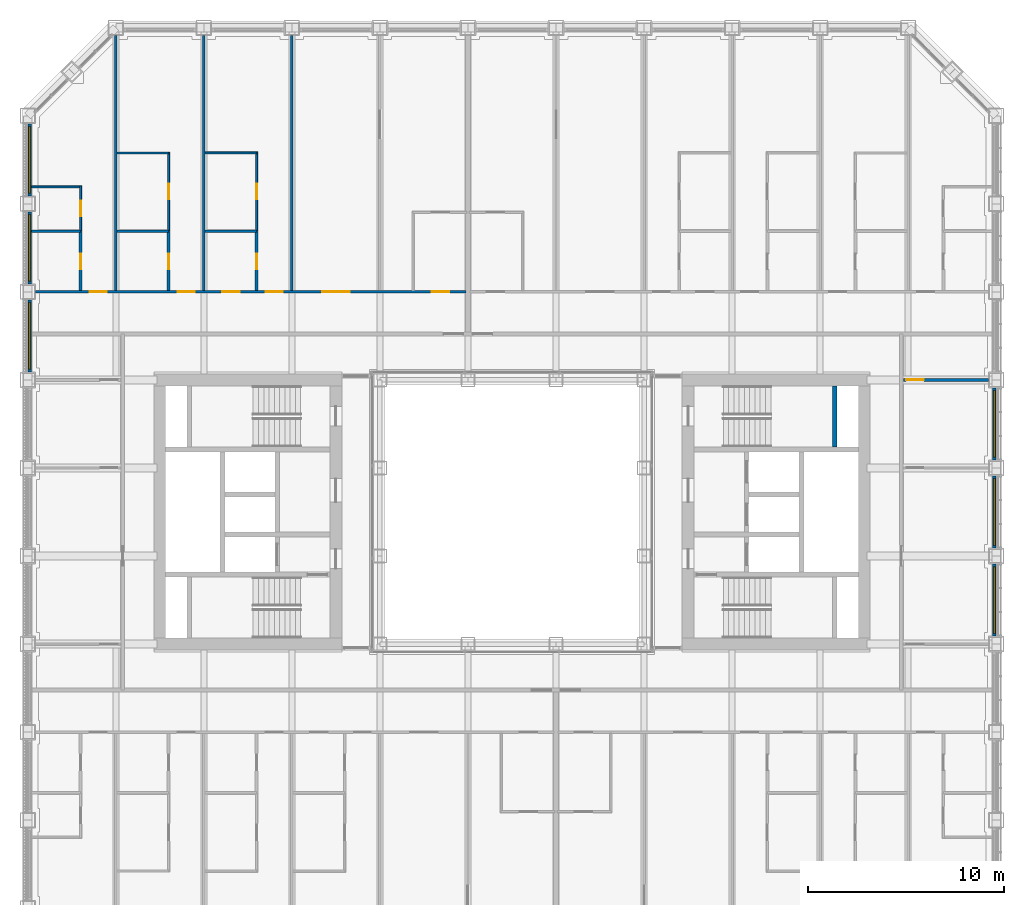
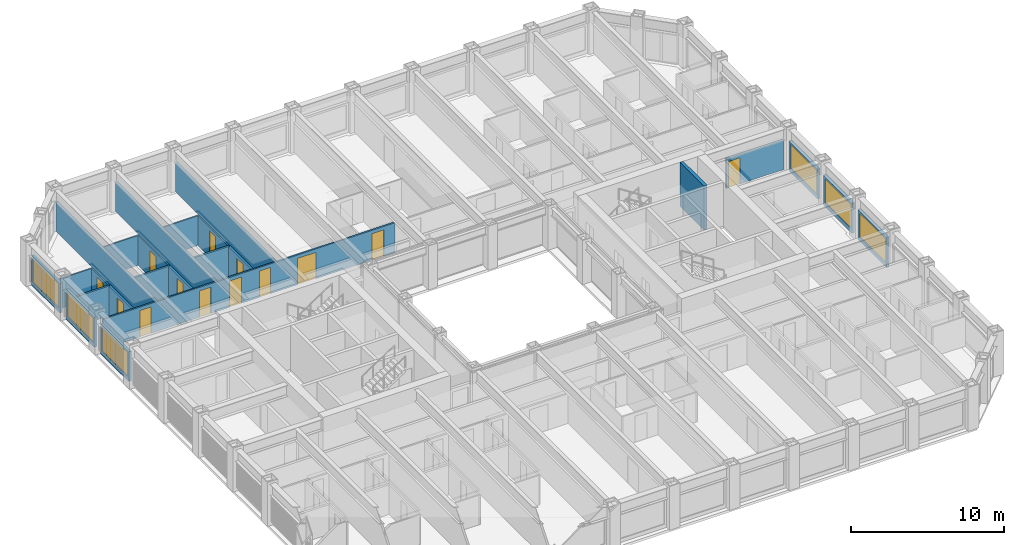
# One storey, part 13 of 21: 24 walls, 13 doors, 6 windows, 19 openings.
"""IFC4 building model written with IfcOpenShell, lengths in metres."""

from ifc_helpers import new_model, si_unit, direction, frame, frame_2d, origin, place, context, subcontext, project, spatial, rectangle, extrude, material, layer, layer_set, type_object, element, fill, save


model = new_model("IFC4")

# Units and contexts
model_context = context("Model", 3, precision=1e-05, world=origin(), true_north=direction((0.0, 1.0)))
body_context = subcontext(model_context, "Body", "Model", "MODEL_VIEW")
ifc_project = project(units=[si_unit("LENGTHUNIT", "METRE"), si_unit("AREAUNIT", "SQUARE_METRE"), si_unit("VOLUMEUNIT", "CUBIC_METRE"), si_unit("PLANEANGLEUNIT", "RADIAN"), si_unit("MASSUNIT", "GRAM", prefix="KILO")], contexts=[model_context])

# Site, building, storey
site_placement = place(None, origin())
site = spatial("IfcSite", under=ifc_project, at=site_placement, CompositionType="ELEMENT")
building_placement = place(site_placement, origin())
building = spatial("IfcBuilding", under=site, at=building_placement, Name="Msasa Ring Tower", CompositionType="ELEMENT")
storey_placement = place(building_placement, frame((0.0, 0.0, 82.5)))
storey = spatial("IfcBuildingStorey", under=building, at=storey_placement, Name="L21", CompositionType="ELEMENT", Elevation=82.5)

# Wall
ifc_material_1 = material(Name="Concrete C60/75", Category="concrete")
ifc_layer_1 = layer(ifc_material_1, 0.25)
ifc_layer_set_1 = layer_set([ifc_layer_1], Name="CW4 CORE INNER WALL 250")
wall_type_1 = type_object("IfcWallType", Name="CW4 CORE INNER WALL 250", PredefinedType="SHEAR", material=ifc_layer_set_1)
wall_1_placement = place(storey_placement, frame((16.5, 3.324951171875, 0.0), z_axis=(0.0, 0.0, 1.0), x_axis=(0.0, 1.0, 0.0)))
element("IfcWall", 1, at=wall_1_placement, inside=storey, type_object=wall_type_1, Name="E core wall RISERB L21", PredefinedType="SHEAR", context=body_context, shape_type="SweptSolid", body=[
    extrude(rectangle(XDim=3.125, YDim=0.25, at=frame_2d((1.5625, 0.0))), origin(), (0.0, 0.0, 1.0), 3.5),
])

# Wall, opening, window
ifc_material_2 = material(Name="Terracotta rainscreen on blockwork", Category="masonry")
ifc_layer_2 = layer(ifc_material_2, 0.199951171875)
ifc_layer_set_2 = layer_set([ifc_layer_2], Name="FW1 TERRACOTTA-LINED INFILL BAY WALL 200")
wall_type_2 = type_object("IfcWallType", Name="FW1 TERRACOTTA-LINED INFILL BAY WALL 200", PredefinedType="SOLIDWALL", material=ifc_layer_set_2)
wall_2_placement = place(storey_placement, frame((24.64990234375, -6.344970703125, 0.0), z_axis=(0.0, 0.0, 1.0), x_axis=(0.0, 1.0, 0.0)))
wall_2 = element("IfcWall", 2, at=wall_2_placement, inside=storey, type_object=wall_type_2, Name="Infill bay wall E L21 14", PredefinedType="SOLIDWALL", context=body_context, shape_type="SweptSolid", body=[
    extrude(rectangle(XDim=3.68994140625, YDim=0.199951171875, at=frame_2d((1.844970703125, 0.0))), origin(), (0.0, 0.0, 1.0), 2.37890625),
])
opening_1_placement = place(wall_2_placement, frame((0.14501953125, 0.0, 0.300048828125)))
opening_1 = element("IfcOpeningElement", 3, at=opening_1_placement, cuts=wall_2, Name="Opening WN1", PredefinedType="OPENING", context=body_context, shape_type="SweptSolid", body=[
    extrude(rectangle(XDim=3.39990234375, YDim=1.928955078125, at=frame_2d((1.699951171875, 0.96435546875))), frame((0.0, 0.10986328125, 0.0), z_axis=(0.0, -1.0, 0.0), x_axis=(1.0, 0.0, 0.0)), (0.0, 0.0, 1.0), 0.219970703125),
])
ifc_material_3 = material(Name="Aluminium frame with clear glass", Category="aluminium")
window_type = type_object("IfcWindowType", Name="WN1 RESIDENCE WINDOW 3400x1929", PartitioningType="SINGLE_PANEL", PredefinedType="WINDOW", material=ifc_material_3)
window_1_placement = place(opening_1_placement, origin())
window_1 = element("IfcWindow", 4, at=window_1_placement, inside=storey, type_object=window_type, Name="Window E L21 14", OverallHeight=1.928955078125, OverallWidth=3.39990234375, PartitioningType="SINGLE_PANEL", PredefinedType="WINDOW", context=body_context, shape_type="SweptSolid", body=[
    extrude(rectangle(XDim=3.39990234375, YDim=1.928955078125, at=frame_2d((1.699951171875, 0.96435546875))), frame((0.0, 0.030029296875, 0.0), z_axis=(0.0, -1.0, 0.0), x_axis=(1.0, 0.0, 0.0)), (0.0, 0.0, 1.0), 0.06005859375),
])
fill(opening_1, window_1)

wall_3_placement = place(storey_placement, frame((24.64990234375, -1.844970703125, 0.0), z_axis=(0.0, 0.0, 1.0), x_axis=(0.0, 1.0, 0.0)))
wall_3 = element("IfcWall", 5, at=wall_3_placement, inside=storey, type_object=wall_type_2, Name="Infill bay wall E L21 15", PredefinedType="SOLIDWALL", context=body_context, shape_type="SweptSolid", body=[
    extrude(rectangle(XDim=3.68994140625, YDim=0.199951171875, at=frame_2d((1.844970703125, 0.0))), origin(), (0.0, 0.0, 1.0), 2.37890625),
])
opening_2_placement = place(wall_3_placement, frame((0.14501953125, 0.0, 0.300048828125)))
opening_2 = element("IfcOpeningElement", 6, at=opening_2_placement, cuts=wall_3, Name="Opening WN1", PredefinedType="OPENING", context=body_context, shape_type="SweptSolid", body=[
    extrude(rectangle(XDim=3.39990234375, YDim=1.928955078125, at=frame_2d((1.699951171875, 0.96435546875))), frame((0.0, 0.10986328125, 0.0), z_axis=(0.0, -1.0, 0.0), x_axis=(1.0, 0.0, 0.0)), (0.0, 0.0, 1.0), 0.219970703125),
])
window_2_placement = place(opening_2_placement, origin())
window_2 = element("IfcWindow", 7, at=window_2_placement, inside=storey, type_object=window_type, Name="Window E L21 15", OverallHeight=1.928955078125, OverallWidth=3.39990234375, PartitioningType="SINGLE_PANEL", PredefinedType="WINDOW", context=body_context, shape_type="SweptSolid", body=[
    extrude(rectangle(XDim=3.39990234375, YDim=1.928955078125, at=frame_2d((1.699951171875, 0.96435546875))), frame((0.0, 0.030029296875, 0.0), z_axis=(0.0, -1.0, 0.0), x_axis=(1.0, 0.0, 0.0)), (0.0, 0.0, 1.0), 0.06005859375),
])
fill(opening_2, window_2)

wall_4_placement = place(storey_placement, frame((24.64990234375, 2.655029296875, 0.0), z_axis=(0.0, 0.0, 1.0), x_axis=(0.0, 1.0, 0.0)))
wall_4 = element("IfcWall", 8, at=wall_4_placement, inside=storey, type_object=wall_type_2, Name="Infill bay wall E L21 16", PredefinedType="SOLIDWALL", context=body_context, shape_type="SweptSolid", body=[
    extrude(rectangle(XDim=3.68994140625, YDim=0.199951171875, at=frame_2d((1.844970703125, 0.0))), origin(), (0.0, 0.0, 1.0), 2.37890625),
])
opening_3_placement = place(wall_4_placement, frame((0.14501953125, 0.0, 0.300048828125)))
opening_3 = element("IfcOpeningElement", 9, at=opening_3_placement, cuts=wall_4, Name="Opening WN1", PredefinedType="OPENING", context=body_context, shape_type="SweptSolid", body=[
    extrude(rectangle(XDim=3.39990234375, YDim=1.928955078125, at=frame_2d((1.699951171875, 0.96435546875))), frame((0.0, 0.10986328125, 0.0), z_axis=(0.0, -1.0, 0.0), x_axis=(1.0, 0.0, 0.0)), (0.0, 0.0, 1.0), 0.219970703125),
])
window_3_placement = place(opening_3_placement, origin())
window_3 = element("IfcWindow", 10, at=window_3_placement, inside=storey, type_object=window_type, Name="Window E L21 16", OverallHeight=1.928955078125, OverallWidth=3.39990234375, PartitioningType="SINGLE_PANEL", PredefinedType="WINDOW", context=body_context, shape_type="SweptSolid", body=[
    extrude(rectangle(XDim=3.39990234375, YDim=1.928955078125, at=frame_2d((1.699951171875, 0.96435546875))), frame((0.0, 0.030029296875, 0.0), z_axis=(0.0, -1.0, 0.0), x_axis=(1.0, 0.0, 0.0)), (0.0, 0.0, 1.0), 0.06005859375),
])
fill(opening_3, window_3)

wall_5_placement = place(storey_placement, frame((-24.64990234375, 7.155029296875, 0.0), z_axis=(0.0, 0.0, 1.0), x_axis=(0.0, 1.0, 0.0)))
wall_5 = element("IfcWall", 11, at=wall_5_placement, inside=storey, type_object=wall_type_2, Name="Infill bay wall W L21 39", PredefinedType="SOLIDWALL", context=body_context, shape_type="SweptSolid", body=[
    extrude(rectangle(XDim=3.68994140625, YDim=0.199951171875, at=frame_2d((1.844970703125, 0.0))), origin(), (0.0, 0.0, 1.0), 2.37890625),
])
opening_4_placement = place(wall_5_placement, frame((0.14501953125, 0.0, 0.300048828125)))
opening_4 = element("IfcOpeningElement", 12, at=opening_4_placement, cuts=wall_5, Name="Opening WN1", PredefinedType="OPENING", context=body_context, shape_type="SweptSolid", body=[
    extrude(rectangle(XDim=3.39990234375, YDim=1.928955078125, at=frame_2d((1.699951171875, 0.96435546875))), frame((0.0, 0.10986328125, 0.0), z_axis=(0.0, -1.0, 0.0), x_axis=(1.0, 0.0, 0.0)), (0.0, 0.0, 1.0), 0.219970703125),
])
window_4_placement = place(opening_4_placement, origin())
window_4 = element("IfcWindow", 13, at=window_4_placement, inside=storey, type_object=window_type, Name="Window W L21 39", OverallHeight=1.928955078125, OverallWidth=3.39990234375, PartitioningType="SINGLE_PANEL", PredefinedType="WINDOW", context=body_context, shape_type="SweptSolid", body=[
    extrude(rectangle(XDim=3.39990234375, YDim=1.928955078125, at=frame_2d((1.699951171875, 0.96435546875))), frame((0.0, 0.030029296875, 0.0), z_axis=(0.0, -1.0, 0.0), x_axis=(1.0, 0.0, 0.0)), (0.0, 0.0, 1.0), 0.06005859375),
])
fill(opening_4, window_4)

wall_6_placement = place(storey_placement, frame((-24.64990234375, 11.655029296875, 0.0), z_axis=(0.0, 0.0, 1.0), x_axis=(0.0, 1.0, 0.0)))
wall_6 = element("IfcWall", 14, at=wall_6_placement, inside=storey, type_object=wall_type_2, Name="Infill bay wall W L21 40", PredefinedType="SOLIDWALL", context=body_context, shape_type="SweptSolid", body=[
    extrude(rectangle(XDim=3.68994140625, YDim=0.199951171875, at=frame_2d((1.844970703125, 0.0))), origin(), (0.0, 0.0, 1.0), 2.37890625),
])
opening_5_placement = place(wall_6_placement, frame((0.14501953125, 0.0, 0.300048828125)))
opening_5 = element("IfcOpeningElement", 15, at=opening_5_placement, cuts=wall_6, Name="Opening WN1", PredefinedType="OPENING", context=body_context, shape_type="SweptSolid", body=[
    extrude(rectangle(XDim=3.39990234375, YDim=1.928955078125, at=frame_2d((1.699951171875, 0.96435546875))), frame((0.0, 0.10986328125, 0.0), z_axis=(0.0, -1.0, 0.0), x_axis=(1.0, 0.0, 0.0)), (0.0, 0.0, 1.0), 0.219970703125),
])
window_5_placement = place(opening_5_placement, origin())
window_5 = element("IfcWindow", 16, at=window_5_placement, inside=storey, type_object=window_type, Name="Window W L21 40", OverallHeight=1.928955078125, OverallWidth=3.39990234375, PartitioningType="SINGLE_PANEL", PredefinedType="WINDOW", context=body_context, shape_type="SweptSolid", body=[
    extrude(rectangle(XDim=3.39990234375, YDim=1.928955078125, at=frame_2d((1.699951171875, 0.96435546875))), frame((0.0, 0.030029296875, 0.0), z_axis=(0.0, -1.0, 0.0), x_axis=(1.0, 0.0, 0.0)), (0.0, 0.0, 1.0), 0.06005859375),
])
fill(opening_5, window_5)

wall_7_placement = place(storey_placement, frame((-24.64990234375, 16.155029296875, 0.0), z_axis=(0.0, 0.0, 1.0), x_axis=(0.0, 1.0, 0.0)))
wall_7 = element("IfcWall", 17, at=wall_7_placement, inside=storey, type_object=wall_type_2, Name="Infill bay wall W L21 41", PredefinedType="SOLIDWALL", context=body_context, shape_type="SweptSolid", body=[
    extrude(rectangle(XDim=3.68994140625, YDim=0.199951171875, at=frame_2d((1.844970703125, 0.0))), origin(), (0.0, 0.0, 1.0), 2.37890625),
])
opening_6_placement = place(wall_7_placement, frame((0.14501953125, 0.0, 0.300048828125)))
opening_6 = element("IfcOpeningElement", 18, at=opening_6_placement, cuts=wall_7, Name="Opening WN1", PredefinedType="OPENING", context=body_context, shape_type="SweptSolid", body=[
    extrude(rectangle(XDim=3.39990234375, YDim=1.928955078125, at=frame_2d((1.699951171875, 0.96435546875))), frame((0.0, 0.10986328125, 0.0), z_axis=(0.0, -1.0, 0.0), x_axis=(1.0, 0.0, 0.0)), (0.0, 0.0, 1.0), 0.219970703125),
])
window_6_placement = place(opening_6_placement, origin())
window_6 = element("IfcWindow", 19, at=window_6_placement, inside=storey, type_object=window_type, Name="Window W L21 41", OverallHeight=1.928955078125, OverallWidth=3.39990234375, PartitioningType="SINGLE_PANEL", PredefinedType="WINDOW", context=body_context, shape_type="SweptSolid", body=[
    extrude(rectangle(XDim=3.39990234375, YDim=1.928955078125, at=frame_2d((1.699951171875, 0.96435546875))), frame((0.0, 0.030029296875, 0.0), z_axis=(0.0, -1.0, 0.0), x_axis=(1.0, 0.0, 0.0)), (0.0, 0.0, 1.0), 0.06005859375),
])
fill(opening_6, window_6)

# Wall, opening, door
ifc_material_4 = material(Name="Gypsum board on steel studs", Category="steel")
ifc_layer_3 = layer(ifc_material_4, 0.10009765625)
ifc_layer_set_3 = layer_set([ifc_layer_3], Name="PT2 STUD PARTITION 100")
wall_type_3 = type_object("IfcWallType", Name="PT2 STUD PARTITION 100", PredefinedType="PARTITIONING", material=ifc_layer_set_3)
wall_8_placement = place(storey_placement, frame((-13.050048828125, 14.39990234375, 0.0), z_axis=(0.0, 0.0, 1.0), x_axis=(0.0, 1.0, 0.0)))
wall_8 = element("IfcWall", 20, at=wall_8_placement, inside=storey, type_object=wall_type_3, Name="Partition L21-VNWWX1", PredefinedType="PARTITIONING", context=body_context, shape_type="SweptSolid", body=[
    extrude(rectangle(XDim=4.003173828125, YDim=0.10009765625, at=frame_2d((2.00146484375, 0.0))), origin(), (0.0, 0.0, 1.0), 2.373291015625),
])
opening_7_placement = place(wall_8_placement, frame((1.576416015625, 0.0, 0.0)))
opening_7 = element("IfcOpeningElement", 21, at=opening_7_placement, cuts=wall_8, Name="Opening RF-004", PredefinedType="OPENING", context=body_context, shape_type="SweptSolid", body=[
    extrude(rectangle(XDim=0.800048828125, YDim=2.10009765625, at=frame_2d((0.39990234375, 1.050048828125))), frame((0.0, 0.06005859375, 0.0), z_axis=(0.0, -1.0, 0.0), x_axis=(1.0, 0.0, 0.0)), (0.0, 0.0, 1.0), 0.1201171875),
])
ifc_material_5 = material(Name="Timber door leaf in a steel frame", Category="steel")
door_type_1 = type_object("IfcDoorType", Name="D60 DRESSING ROOM DOOR 800x2100", OperationType="SINGLE_SWING_LEFT", PredefinedType="DOOR", material=ifc_material_5)
door_1_placement = place(opening_7_placement, origin())
door_1 = element("IfcDoor", 22, at=door_1_placement, inside=storey, type_object=door_type_1, Name="Door L21-VNWW1", OperationType="SINGLE_SWING_LEFT", OverallHeight=2.10009765625, OverallWidth=0.800048828125, PredefinedType="DOOR", context=body_context, shape_type="SweptSolid", body=[
    extrude(rectangle(XDim=0.800048828125, YDim=2.10009765625, at=frame_2d((0.39990234375, 1.050048828125))), frame((0.0, 0.02490234375, 0.0), z_axis=(0.0, -1.0, 0.0), x_axis=(1.0, 0.0, 0.0)), (0.0, 0.0, 1.0), 0.050048828125),
])
fill(opening_7, door_1)

# Wall
wall_9_placement = place(storey_placement, frame((-15.68994140625, 18.35302734375, 0.0), z_axis=(0.0, 0.0, 1.0), x_axis=(1.0, 0.0, 0.0)))
element("IfcWall", 23, at=wall_9_placement, inside=storey, type_object=wall_type_3, Name="Partition L21-VNWWY1", PredefinedType="PARTITIONING", context=body_context, shape_type="SweptSolid", body=[
    extrude(rectangle(XDim=2.639892578125, YDim=0.10009765625, at=frame_2d((1.31982421875, 0.0))), origin(), (0.0, 0.0, 1.0), 2.373291015625),
])

# Wall, opening, door
wall_10_placement = place(storey_placement, frame((-17.550048828125, 14.39990234375, 0.0), z_axis=(0.0, 0.0, 1.0), x_axis=(0.0, 1.0, 0.0)))
wall_10 = element("IfcWall", 24, at=wall_10_placement, inside=storey, type_object=wall_type_3, Name="Partition L21-VNWWX2", PredefinedType="PARTITIONING", context=body_context, shape_type="SweptSolid", body=[
    extrude(rectangle(XDim=4.00048828125, YDim=0.10009765625, at=frame_2d((2.000244140625, 0.0))), origin(), (0.0, 0.0, 1.0), 2.373291015625),
])
opening_8_placement = place(wall_10_placement, frame((1.5751953125, 0.0, 0.0)))
opening_8 = element("IfcOpeningElement", 25, at=opening_8_placement, cuts=wall_10, Name="Opening RF-003", PredefinedType="OPENING", context=body_context, shape_type="SweptSolid", body=[
    extrude(rectangle(XDim=0.800048828125, YDim=2.10009765625, at=frame_2d((0.39990234375, 1.050048828125))), frame((0.0, 0.06005859375, 0.0), z_axis=(0.0, -1.0, 0.0), x_axis=(1.0, 0.0, 0.0)), (0.0, 0.0, 1.0), 0.1201171875),
])
door_2_placement = place(opening_8_placement, origin())
door_2 = element("IfcDoor", 26, at=door_2_placement, inside=storey, type_object=door_type_1, Name="Door L21-VNWW2", OperationType="SINGLE_SWING_LEFT", OverallHeight=2.10009765625, OverallWidth=0.800048828125, PredefinedType="DOOR", context=body_context, shape_type="SweptSolid", body=[
    extrude(rectangle(XDim=0.800048828125, YDim=2.10009765625, at=frame_2d((0.39990234375, 1.050048828125))), frame((0.0, 0.02490234375, 0.0), z_axis=(0.0, -1.0, 0.0), x_axis=(1.0, 0.0, 0.0)), (0.0, 0.0, 1.0), 0.050048828125),
])
fill(opening_8, door_2)

# Wall
wall_11_placement = place(storey_placement, frame((-20.18994140625, 18.350341796875, 0.0), z_axis=(0.0, 0.0, 1.0), x_axis=(1.0, 0.0, 0.0)))
element("IfcWall", 27, at=wall_11_placement, inside=storey, type_object=wall_type_3, Name="Partition L21-VNWWY2", PredefinedType="PARTITIONING", context=body_context, shape_type="SweptSolid", body=[
    extrude(rectangle(XDim=2.639892578125, YDim=0.10009765625, at=frame_2d((1.31982421875, 0.0))), origin(), (0.0, 0.0, 1.0), 2.373291015625),
])

# Wall, opening, door
wall_12_placement = place(storey_placement, frame((-22.050048828125, 14.39990234375, 0.0), z_axis=(0.0, 0.0, 1.0), x_axis=(0.0, 1.0, 0.0)))
wall_12 = element("IfcWall", 28, at=wall_12_placement, inside=storey, type_object=wall_type_3, Name="Partition L21-VNWWX3", PredefinedType="PARTITIONING", context=body_context, shape_type="SweptSolid", body=[
    extrude(rectangle(XDim=2.273681640625, YDim=0.10009765625, at=frame_2d((1.13671875, 0.0))), origin(), (0.0, 0.0, 1.0), 2.373291015625),
])
opening_9_placement = place(wall_12_placement, frame((0.7119140625, 0.0, 0.0)))
opening_9 = element("IfcOpeningElement", 29, at=opening_9_placement, cuts=wall_12, Name="Opening RF-008", PredefinedType="OPENING", context=body_context, shape_type="SweptSolid", body=[
    extrude(rectangle(XDim=0.800048828125, YDim=2.10009765625, at=frame_2d((0.39990234375, 1.050048828125))), frame((0.0, 0.06005859375, 0.0), z_axis=(0.0, -1.0, 0.0), x_axis=(1.0, 0.0, 0.0)), (0.0, 0.0, 1.0), 0.1201171875),
])
door_3_placement = place(opening_9_placement, origin())
door_3 = element("IfcDoor", 30, at=door_3_placement, inside=storey, type_object=door_type_1, Name="Door L21-VNWW3", OperationType="SINGLE_SWING_LEFT", OverallHeight=2.10009765625, OverallWidth=0.800048828125, PredefinedType="DOOR", context=body_context, shape_type="SweptSolid", body=[
    extrude(rectangle(XDim=0.800048828125, YDim=2.10009765625, at=frame_2d((0.39990234375, 1.050048828125))), frame((0.0, 0.02490234375, 0.0), z_axis=(0.0, -1.0, 0.0), x_axis=(1.0, 0.0, 0.0)), (0.0, 0.0, 1.0), 0.050048828125),
])
fill(opening_9, door_3)

# Wall
wall_13_placement = place(storey_placement, frame((-24.550048828125, 16.62353515625, 0.0), z_axis=(0.0, 0.0, 1.0), x_axis=(1.0, 0.0, 0.0)))
element("IfcWall", 31, at=wall_13_placement, inside=storey, type_object=wall_type_3, Name="Partition L21-VNWWY3", PredefinedType="PARTITIONING", context=body_context, shape_type="SweptSolid", body=[
    extrude(rectangle(XDim=2.5, YDim=0.10009765625, at=frame_2d((1.25, 0.0))), origin(), (0.0, 0.0, 1.0), 2.373291015625),
])

# Wall, opening, door
ifc_material_6 = material(Name="Moisture-resistant board on steel studs with a concealed cistern and pipe void, tiled", Category="steel")
ifc_layer_4 = layer(ifc_material_6, 0.14990234375)
ifc_layer_set_4 = layer_set([ifc_layer_4], Name="PT4 BATHROOM WET WALL 150")
wall_type_4 = type_object("IfcWallType", Name="PT4 BATHROOM WET WALL 150", PredefinedType="PARTITIONING", material=ifc_layer_set_4)
wall_14_placement = place(storey_placement, frame((-13.050048828125, 11.3125, 0.0), z_axis=(0.0, 0.0, 1.0), x_axis=(0.0, 1.0, 0.0)))
wall_14 = element("IfcWall", 32, at=wall_14_placement, inside=storey, type_object=wall_type_4, Name="Partition L21-VNWBX1", PredefinedType="PARTITIONING", context=body_context, shape_type="SweptSolid", body=[
    extrude(rectangle(XDim=3.08740234375, YDim=0.14990234375, at=frame_2d((1.543701171875, 0.0))), origin(), (0.0, 0.0, 1.0), 2.373291015625),
])
opening_10_placement = place(wall_14_placement, frame((1.08740234375, 0.0, 0.0)))
opening_10 = element("IfcOpeningElement", 33, at=opening_10_placement, cuts=wall_14, Name="Opening RF-014", PredefinedType="OPENING", context=body_context, shape_type="SweptSolid", body=[
    extrude(rectangle(XDim=0.800048828125, YDim=2.10009765625, at=frame_2d((0.39990234375, 1.050048828125))), frame((0.0, 0.0849609375, 0.0), z_axis=(0.0, -1.0, 0.0), x_axis=(1.0, 0.0, 0.0)), (0.0, 0.0, 1.0), 0.169921875),
])
ifc_material_7 = material(Name="Timber door leaf in a steel frame", Category="steel")
door_type_2 = type_object("IfcDoorType", Name="D21 POCKET SLIDING BATHROOM DOOR 800x2100", OperationType="SINGLE_SWING_LEFT", PredefinedType="DOOR", material=ifc_material_7)
door_4_placement = place(opening_10_placement, origin())
door_4 = element("IfcDoor", 34, at=door_4_placement, inside=storey, type_object=door_type_2, Name="Door L21-VNWB1", OperationType="SINGLE_SWING_LEFT", OverallHeight=2.10009765625, OverallWidth=0.800048828125, PredefinedType="DOOR", context=body_context, shape_type="SweptSolid", body=[
    extrude(rectangle(XDim=0.800048828125, YDim=2.10009765625, at=frame_2d((0.39990234375, 1.050048828125))), frame((0.0, 0.02490234375, 0.0), z_axis=(0.0, -1.0, 0.0), x_axis=(1.0, 0.0, 0.0)), (0.0, 0.0, 1.0), 0.050048828125),
])
fill(opening_10, door_4)

# Wall
wall_15_placement = place(storey_placement, frame((-15.68994140625, 14.35009765625, 0.0), z_axis=(0.0, 0.0, 1.0), x_axis=(1.0, 0.0, 0.0)))
element("IfcWall", 35, at=wall_15_placement, inside=storey, type_object=wall_type_4, Name="Partition L21-VNWBY1", PredefinedType="PARTITIONING", context=body_context, shape_type="SweptSolid", body=[
    extrude(rectangle(XDim=2.639892578125, YDim=0.14990234375, at=frame_2d((1.31982421875, 0.0))), origin(), (0.0, 0.0, 1.0), 2.373291015625),
])

# Wall, opening, door
wall_16_placement = place(storey_placement, frame((-17.550048828125, 11.3125, 0.0), z_axis=(0.0, 0.0, 1.0), x_axis=(0.0, 1.0, 0.0)))
wall_16 = element("IfcWall", 36, at=wall_16_placement, inside=storey, type_object=wall_type_4, Name="Partition L21-VNWBX2", PredefinedType="PARTITIONING", context=body_context, shape_type="SweptSolid", body=[
    extrude(rectangle(XDim=3.08740234375, YDim=0.14990234375, at=frame_2d((1.543701171875, 0.0))), origin(), (0.0, 0.0, 1.0), 2.373291015625),
])
opening_11_placement = place(wall_16_placement, frame((1.08740234375, 0.0, 0.0)))
opening_11 = element("IfcOpeningElement", 37, at=opening_11_placement, cuts=wall_16, Name="Opening RF-013", PredefinedType="OPENING", context=body_context, shape_type="SweptSolid", body=[
    extrude(rectangle(XDim=0.800048828125, YDim=2.10009765625, at=frame_2d((0.39990234375, 1.050048828125))), frame((0.0, 0.0849609375, 0.0), z_axis=(0.0, -1.0, 0.0), x_axis=(1.0, 0.0, 0.0)), (0.0, 0.0, 1.0), 0.169921875),
])
door_5_placement = place(opening_11_placement, origin())
door_5 = element("IfcDoor", 38, at=door_5_placement, inside=storey, type_object=door_type_2, Name="Door L21-VNWB2", OperationType="SINGLE_SWING_LEFT", OverallHeight=2.10009765625, OverallWidth=0.800048828125, PredefinedType="DOOR", context=body_context, shape_type="SweptSolid", body=[
    extrude(rectangle(XDim=0.800048828125, YDim=2.10009765625, at=frame_2d((0.39990234375, 1.050048828125))), frame((0.0, 0.02490234375, 0.0), z_axis=(0.0, -1.0, 0.0), x_axis=(1.0, 0.0, 0.0)), (0.0, 0.0, 1.0), 0.050048828125),
])
fill(opening_11, door_5)

# Wall
wall_17_placement = place(storey_placement, frame((-20.18994140625, 14.35009765625, 0.0), z_axis=(0.0, 0.0, 1.0), x_axis=(1.0, 0.0, 0.0)))
element("IfcWall", 39, at=wall_17_placement, inside=storey, type_object=wall_type_4, Name="Partition L21-VNWBY2", PredefinedType="PARTITIONING", context=body_context, shape_type="SweptSolid", body=[
    extrude(rectangle(XDim=2.639892578125, YDim=0.14990234375, at=frame_2d((1.31982421875, 0.0))), origin(), (0.0, 0.0, 1.0), 2.373291015625),
])

# Wall, opening, door
wall_18_placement = place(storey_placement, frame((-22.050048828125, 11.3125, 0.0), z_axis=(0.0, 0.0, 1.0), x_axis=(0.0, 1.0, 0.0)))
wall_18 = element("IfcWall", 40, at=wall_18_placement, inside=storey, type_object=wall_type_4, Name="Partition L21-VNWBX3", PredefinedType="PARTITIONING", context=body_context, shape_type="SweptSolid", body=[
    extrude(rectangle(XDim=3.08740234375, YDim=0.14990234375, at=frame_2d((1.543701171875, 0.0))), origin(), (0.0, 0.0, 1.0), 2.373291015625),
])
opening_12_placement = place(wall_18_placement, frame((1.08740234375, 0.0, 0.0)))
opening_12 = element("IfcOpeningElement", 41, at=opening_12_placement, cuts=wall_18, Name="Opening RF-012", PredefinedType="OPENING", context=body_context, shape_type="SweptSolid", body=[
    extrude(rectangle(XDim=0.800048828125, YDim=2.10009765625, at=frame_2d((0.39990234375, 1.050048828125))), frame((0.0, 0.0849609375, 0.0), z_axis=(0.0, -1.0, 0.0), x_axis=(1.0, 0.0, 0.0)), (0.0, 0.0, 1.0), 0.169921875),
])
door_6_placement = place(opening_12_placement, origin())
door_6 = element("IfcDoor", 42, at=door_6_placement, inside=storey, type_object=door_type_2, Name="Door L21-VNWB3", OperationType="SINGLE_SWING_LEFT", OverallHeight=2.10009765625, OverallWidth=0.800048828125, PredefinedType="DOOR", context=body_context, shape_type="SweptSolid", body=[
    extrude(rectangle(XDim=0.800048828125, YDim=2.10009765625, at=frame_2d((0.39990234375, 1.050048828125))), frame((0.0, 0.02490234375, 0.0), z_axis=(0.0, -1.0, 0.0), x_axis=(1.0, 0.0, 0.0)), (0.0, 0.0, 1.0), 0.050048828125),
])
fill(opening_12, door_6)

# Wall
wall_19_placement = place(storey_placement, frame((-24.550048828125, 14.35009765625, 0.0), z_axis=(0.0, 0.0, 1.0), x_axis=(1.0, 0.0, 0.0)))
element("IfcWall", 43, at=wall_19_placement, inside=storey, type_object=wall_type_4, Name="Partition L21-VNWBY3", PredefinedType="PARTITIONING", context=body_context, shape_type="SweptSolid", body=[
    extrude(rectangle(XDim=2.5, YDim=0.14990234375, at=frame_2d((1.25, 0.0))), origin(), (0.0, 0.0, 1.0), 2.373291015625),
])

# Wall, opening, door
wall_20_placement = place(storey_placement, frame((20.0, 6.75, 0.0), z_axis=(0.0, 0.0, 1.0), x_axis=(1.0, 0.0, 0.0)))
wall_20 = element("IfcWall", 44, at=wall_20_placement, inside=storey, type_object=wall_type_4, Name="Partition L21-STEBY", PredefinedType="PARTITIONING", context=body_context, shape_type="SweptSolid", body=[
    extrude(rectangle(XDim=4.35009765625, YDim=0.14990234375, at=frame_2d((2.175048828125, 0.0))), origin(), (0.0, 0.0, 1.0), 2.373291015625),
])
opening_13_placement = place(wall_20_placement, frame((0.14990234375, 0.0, 0.0)))
opening_13 = element("IfcOpeningElement", 45, at=opening_13_placement, cuts=wall_20, Name="Opening RF-037", PredefinedType="OPENING", context=body_context, shape_type="SweptSolid", body=[
    extrude(rectangle(XDim=0.89990234375, YDim=2.10009765625, at=frame_2d((0.449951171875, 1.050048828125))), frame((0.0, 0.0849609375, 0.0), z_axis=(0.0, -1.0, 0.0), x_axis=(1.0, 0.0, 0.0)), (0.0, 0.0, 1.0), 0.169921875),
])
ifc_material_8 = material(Name="Timber door leaf in a steel frame", Category="steel")
door_type_3 = type_object("IfcDoorType", Name="D3 BATHROOM DOOR 900x2100", OperationType="SINGLE_SWING_LEFT", PredefinedType="DOOR", material=ifc_material_8)
door_7_placement = place(opening_13_placement, origin())
door_7 = element("IfcDoor", 46, at=door_7_placement, inside=storey, type_object=door_type_3, Name="Door L21-STEB", OperationType="SINGLE_SWING_LEFT", OverallHeight=2.10009765625, OverallWidth=0.89990234375, PredefinedType="DOOR", context=body_context, shape_type="SweptSolid", body=[
    extrude(rectangle(XDim=0.89990234375, YDim=2.10009765625, at=frame_2d((0.449951171875, 1.050048828125))), frame((0.0, 0.02490234375, 0.0), z_axis=(0.0, -1.0, 0.0), x_axis=(1.0, 0.0, 0.0)), (0.0, 0.0, 1.0), 0.050048828125),
])
fill(opening_13, door_7)

# Wall, openings, doors
ifc_material_9 = material(Name="Two layers of acoustic board each face on steel studs, mineral wool", Category="steel")
ifc_layer_5 = layer(ifc_material_9, 0.125)
ifc_layer_set_5 = layer_set([ifc_layer_5], Name="PT6 ACOUSTIC DOUBLE-BOARD PARTITION 125")
wall_type_5 = type_object("IfcWallType", Name="PT6 ACOUSTIC DOUBLE-BOARD PARTITION 125", PredefinedType="PARTITIONING", material=ifc_layer_set_5)
wall_21_placement = place(storey_placement, frame((-24.35009765625, 11.25, 0.0), z_axis=(0.0, 0.0, 1.0), x_axis=(1.0, 0.0, 0.0)))
wall_21 = element("IfcWall", 47, at=wall_21_placement, inside=storey, type_object=wall_type_5, Name="Partition L21-VNWHY", PredefinedType="PARTITIONING", context=body_context, shape_type="SweptSolid", body=[
    extrude(rectangle(XDim=22.0, YDim=0.125, at=frame_2d((11.0, 0.0))), origin(), (0.0, 0.0, 1.0), 2.373291015625),
])
opening_14_placement = place(wall_21_placement, frame((20.25, 0.0, 0.0)))
opening_14 = element("IfcOpeningElement", 48, at=opening_14_placement, cuts=wall_21, Name="Opening RF-024", PredefinedType="OPENING", context=body_context, shape_type="SweptSolid", body=[
    extrude(rectangle(XDim=0.89990234375, YDim=2.10009765625, at=frame_2d((0.449951171875, 1.050048828125))), frame((0.0, 0.072509765625, 0.0), z_axis=(0.0, -1.0, 0.0), x_axis=(1.0, 0.0, 0.0)), (0.0, 0.0, 1.0), 0.14501953125),
])
opening_15_placement = place(wall_21_placement, frame((14.64990234375, 0.0, 0.0)))
opening_15 = element("IfcOpeningElement", 49, at=opening_15_placement, cuts=wall_21, Name="Opening RF-023", PredefinedType="OPENING", context=body_context, shape_type="SweptSolid", body=[
    extrude(rectangle(XDim=1.39990234375, YDim=2.10009765625, at=frame_2d((0.699951171875, 1.050048828125))), frame((0.0, 0.072509765625, 0.0), z_axis=(0.0, -1.0, 0.0), x_axis=(1.0, 0.0, 0.0)), (0.0, 0.0, 1.0), 0.14501953125),
])
opening_16_placement = place(wall_21_placement, frame((11.77490234375, 0.0, 0.0)))
opening_16 = element("IfcOpeningElement", 50, at=opening_16_placement, cuts=wall_21, Name="Opening RF-022", PredefinedType="OPENING", context=body_context, shape_type="SweptSolid", body=[
    extrude(rectangle(XDim=0.85009765625, YDim=2.10009765625, at=frame_2d((0.425048828125, 1.050048828125))), frame((0.0, 0.072509765625, 0.0), z_axis=(0.0, -1.0, 0.0), x_axis=(1.0, 0.0, 0.0)), (0.0, 0.0, 1.0), 0.14501953125),
])
opening_17_placement = place(wall_21_placement, frame((9.530029296875, 0.0, 0.0)))
opening_17 = element("IfcOpeningElement", 51, at=opening_17_placement, cuts=wall_21, Name="Opening RF-021", PredefinedType="OPENING", context=body_context, shape_type="SweptSolid", body=[
    extrude(rectangle(XDim=0.89990234375, YDim=2.10009765625, at=frame_2d((0.449951171875, 1.050048828125))), frame((0.0, 0.072509765625, 0.0), z_axis=(0.0, -1.0, 0.0), x_axis=(1.0, 0.0, 0.0)), (0.0, 0.0, 1.0), 0.14501953125),
])
opening_18_placement = place(wall_21_placement, frame((7.27490234375, 0.0, 0.0)))
opening_18 = element("IfcOpeningElement", 52, at=opening_18_placement, cuts=wall_21, Name="Opening RF-020", PredefinedType="OPENING", context=body_context, shape_type="SweptSolid", body=[
    extrude(rectangle(XDim=0.85009765625, YDim=2.10009765625, at=frame_2d((0.425048828125, 1.050048828125))), frame((0.0, 0.072509765625, 0.0), z_axis=(0.0, -1.0, 0.0), x_axis=(1.0, 0.0, 0.0)), (0.0, 0.0, 1.0), 0.14501953125),
])
opening_19_placement = place(wall_21_placement, frame((2.77490234375, 0.0, 0.0)))
opening_19 = element("IfcOpeningElement", 53, at=opening_19_placement, cuts=wall_21, Name="Opening RF-019", PredefinedType="OPENING", context=body_context, shape_type="SweptSolid", body=[
    extrude(rectangle(XDim=0.85009765625, YDim=2.10009765625, at=frame_2d((0.425048828125, 1.050048828125))), frame((0.0, 0.072509765625, 0.0), z_axis=(0.0, -1.0, 0.0), x_axis=(1.0, 0.0, 0.0)), (0.0, 0.0, 1.0), 0.14501953125),
])
ifc_material_10 = material(Name="Timber door leaf in a steel frame", Category="steel")
door_type_4 = type_object("IfcDoorType", Name="D14 BEDROOM DOOR 850x2100", OperationType="SINGLE_SWING_LEFT", PredefinedType="DOOR", material=ifc_material_10)
door_8_placement = place(opening_16_placement, origin())
door_8 = element("IfcDoor", 54, at=door_8_placement, inside=storey, type_object=door_type_4, Name="Door L21-VNWR1", OperationType="SINGLE_SWING_RIGHT", OverallHeight=2.10009765625, OverallWidth=0.85009765625, PredefinedType="DOOR", context=body_context, shape_type="SweptSolid", body=[
    extrude(rectangle(XDim=0.85009765625, YDim=2.10009765625, at=frame_2d((0.425048828125, 1.050048828125))), frame((0.0, 0.02490234375, 0.0), z_axis=(0.0, -1.0, 0.0), x_axis=(1.0, 0.0, 0.0)), (0.0, 0.0, 1.0), 0.050048828125),
])
fill(opening_16, door_8)
door_9_placement = place(opening_18_placement, origin())
door_9 = element("IfcDoor", 55, at=door_9_placement, inside=storey, type_object=door_type_4, Name="Door L21-VNWR2", OperationType="SINGLE_SWING_LEFT", OverallHeight=2.10009765625, OverallWidth=0.85009765625, PredefinedType="DOOR", context=body_context, shape_type="SweptSolid", body=[
    extrude(rectangle(XDim=0.85009765625, YDim=2.10009765625, at=frame_2d((0.425048828125, 1.050048828125))), frame((0.0, 0.02490234375, 0.0), z_axis=(0.0, -1.0, 0.0), x_axis=(1.0, 0.0, 0.0)), (0.0, 0.0, 1.0), 0.050048828125),
])
fill(opening_18, door_9)
door_10_placement = place(opening_19_placement, origin())
door_10 = element("IfcDoor", 56, at=door_10_placement, inside=storey, type_object=door_type_4, Name="Door L21-VNWR3", OperationType="SINGLE_SWING_LEFT", OverallHeight=2.10009765625, OverallWidth=0.85009765625, PredefinedType="DOOR", context=body_context, shape_type="SweptSolid", body=[
    extrude(rectangle(XDim=0.85009765625, YDim=2.10009765625, at=frame_2d((0.425048828125, 1.050048828125))), frame((0.0, 0.02490234375, 0.0), z_axis=(0.0, -1.0, 0.0), x_axis=(1.0, 0.0, 0.0)), (0.0, 0.0, 1.0), 0.050048828125),
])
fill(opening_19, door_10)
ifc_material_11 = material(Name="Timber door leaf in a steel frame", Category="steel")
door_type_5 = type_object("IfcDoorType", Name="D15 LIVING ROOM PAIR OF GLAZED DOORS 1400x2100", OperationType="SINGLE_SWING_LEFT", PredefinedType="DOOR", material=ifc_material_11)
door_11_placement = place(opening_15_placement, origin())
door_11 = element("IfcDoor", 57, at=door_11_placement, inside=storey, type_object=door_type_5, Name="Door L21-VNWL", OperationType="SINGLE_SWING_RIGHT", OverallHeight=2.10009765625, OverallWidth=1.39990234375, PredefinedType="DOOR", context=body_context, shape_type="SweptSolid", body=[
    extrude(rectangle(XDim=1.39990234375, YDim=2.10009765625, at=frame_2d((0.699951171875, 1.050048828125))), frame((0.0, 0.02490234375, 0.0), z_axis=(0.0, -1.0, 0.0), x_axis=(1.0, 0.0, 0.0)), (0.0, 0.0, 1.0), 0.050048828125),
])
fill(opening_15, door_11)
ifc_material_12 = material(Name="Timber door leaf in a steel frame", Category="steel")
door_type_6 = type_object("IfcDoorType", Name="D22 INTERNAL HALL DOOR 900x2100", OperationType="SINGLE_SWING_LEFT", PredefinedType="DOOR", material=ifc_material_12)
door_12_placement = place(opening_14_placement, origin())
door_12 = element("IfcDoor", 58, at=door_12_placement, inside=storey, type_object=door_type_6, Name="Door L21-VNWK", OperationType="SINGLE_SWING_RIGHT", OverallHeight=2.10009765625, OverallWidth=0.89990234375, PredefinedType="DOOR", context=body_context, shape_type="SweptSolid", body=[
    extrude(rectangle(XDim=0.89990234375, YDim=2.10009765625, at=frame_2d((0.449951171875, 1.050048828125))), frame((0.0, 0.02490234375, 0.0), z_axis=(0.0, -1.0, 0.0), x_axis=(1.0, 0.0, 0.0)), (0.0, 0.0, 1.0), 0.050048828125),
])
fill(opening_14, door_12)
door_13_placement = place(opening_17_placement, origin())
door_13 = element("IfcDoor", 59, at=door_13_placement, inside=storey, type_object=door_type_3, Name="Door L21-VNWBH1", OperationType="SINGLE_SWING_LEFT", OverallHeight=2.10009765625, OverallWidth=0.89990234375, PredefinedType="DOOR", context=body_context, shape_type="SweptSolid", body=[
    extrude(rectangle(XDim=0.89990234375, YDim=2.10009765625, at=frame_2d((0.449951171875, 1.050048828125))), frame((0.0, 0.02490234375, 0.0), z_axis=(0.0, -1.0, 0.0), x_axis=(1.0, 0.0, 0.0)), (0.0, 0.0, 1.0), 0.050048828125),
])
fill(opening_17, door_13)

# Walls
for number, where, z_axis, x_axis, name in (
    (60, (-11.25, 11.3125, 0.0), (0.0, 0.0, 1.0), (0.0, 1.0, 0.0), "Partition L21-VNWP1"),
    (61, (-15.75, 11.3125, 0.0), (0.0, 0.0, 1.0), (0.0, 1.0, 0.0), "Partition L21-VNWP2"),
    (62, (-20.25, 11.3125, 0.0), (0.0, 0.0, 1.0), (0.0, 1.0, 0.0), "Partition L21-VNWP3"),
):
    element("IfcWall", number, at=place(storey_placement, frame(where, z_axis=z_axis, x_axis=x_axis)), inside=storey, type_object=wall_type_5, Name=name, PredefinedType="PARTITIONING", context=body_context, shape_type="SweptSolid", body=[
        extrude(rectangle(XDim=13.03759765625, YDim=0.125, at=frame_2d((6.518798828125, 0.0))), origin(), (0.0, 0.0, 1.0), 2.373291015625),
    ])

save(model, "model.ifc")
